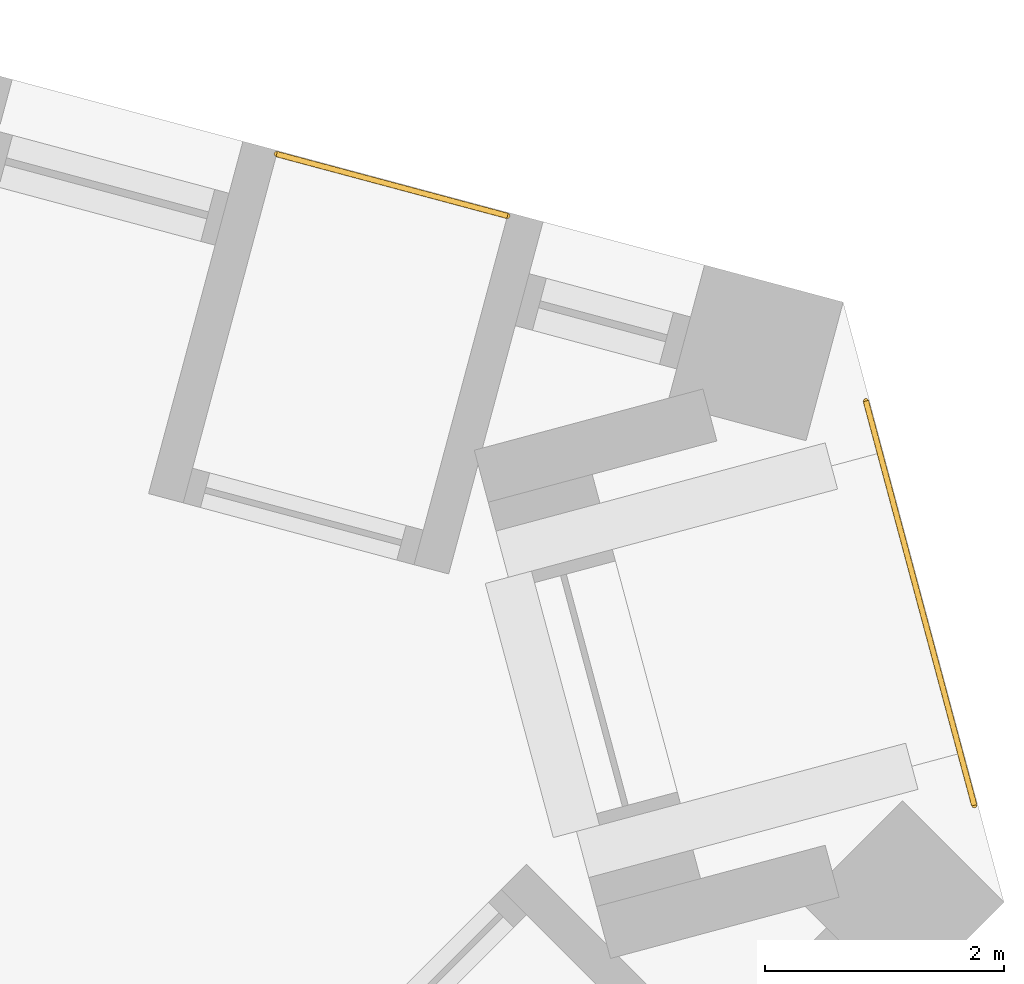
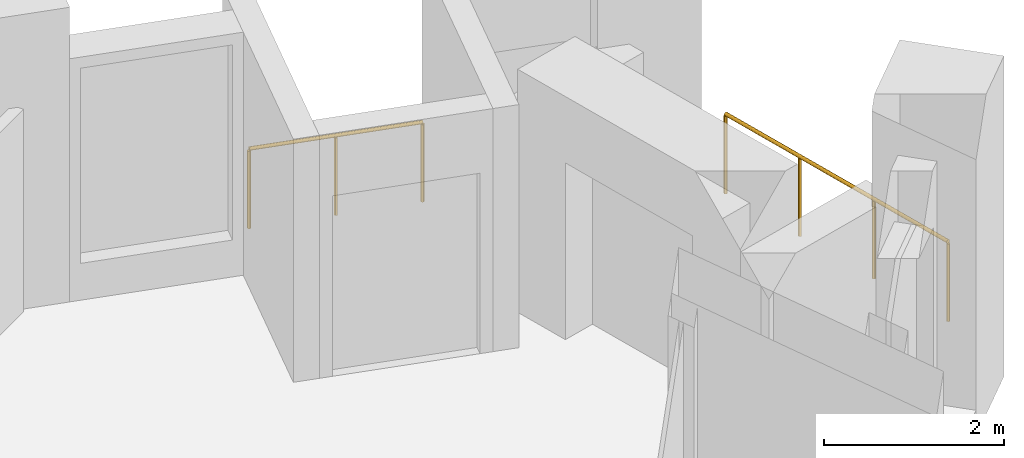
# One storey, part 13 of 13: 2 railings.
"""IFC4 building model written with IfcOpenShell, lengths in metres."""

import ifcopenshell
import ifcopenshell.guid

model = None  # the IFC model being written
_history = None  # IfcOwnerHistory: only IFC2X3 demands one
_inside = {}  # id of a spatial element -> (the spatial element, [elements in it])
_under = {}  # id of a project, library or spatial element -> (it, [spatial elements below it])
_declared = {}  # id of a project -> (the project, [libraries it declares])
_typed = {}  # id of a type object -> (the type object, [elements of that type])
_made_of = {}  # id of a material, layer set ... -> (it, [elements and type objects made of it])


def new_model(schema):
    """Start an empty IFC model of exactly this schema.

    Asked for "IFC4X3", IfcOpenShell would pick the latest addendum, in which some entities
    have other attributes; the version numbers below select the first issue.
    IFC2X3 requires an IfcOwnerHistory on every rooted entity: one is made here for all.
    """
    global model, _history
    if schema == "IFC4X3":
        model = ifcopenshell.file(schema_version=(4, 3, 0, 0))
    else:
        model = ifcopenshell.file(schema=schema)
    _inside.clear()
    _under.clear()
    _declared.clear()
    _typed.clear()
    _made_of.clear()
    _history = None
    if model.schema == "IFC2X3":
        org = make("IfcOrganization", Name="unknown")
        user = make(
            "IfcPersonAndOrganization",
            ThePerson=make("IfcPerson", FamilyName="unknown"),
            TheOrganization=org,
        )
        app = make(
            "IfcApplication",
            ApplicationDeveloper=org,
            Version="unknown",
            ApplicationFullName="unknown",
            ApplicationIdentifier="unknown",
        )
        _history = make(
            "IfcOwnerHistory",
            OwningUser=user,
            OwningApplication=app,
            ChangeAction="ADDED",
            CreationDate=0,
        )
    return model


def make(cls, **values):
    """One entity of the class cls with the attributes given. An attribute that is None is left unset."""
    return model.create_entity(
        cls, **{name: value for name, value in values.items() if value is not None}
    )


def rooted(cls, **values):
    """An entity with a GlobalId (a new one), such as an element, a storey or a relation."""
    return make(cls, GlobalId=ifcopenshell.guid.new(), OwnerHistory=_history, **values)


def si_unit(unit_type, name, prefix=None):
    """IfcSIUnit, for example si_unit("LENGTHUNIT", "METRE", prefix="MILLI")."""
    return make("IfcSIUnit", UnitType=unit_type, Prefix=prefix, Name=name)


def assignment(units):
    """IfcUnitAssignment: the units of a project."""
    return None if units is None else make("IfcUnitAssignment", Units=units)


def point(xyz):
    """IfcCartesianPoint."""
    return None if xyz is None else make("IfcCartesianPoint", Coordinates=xyz)


def direction(xyz):
    """IfcDirection."""
    return None if xyz is None else make("IfcDirection", DirectionRatios=xyz)


def frame(location, z_axis=None, x_axis=None):
    """IfcAxis2Placement3D, a coordinate frame: its origin and axes. An axis left out is left unset."""
    return make(
        "IfcAxis2Placement3D",
        Location=point(location),
        Axis=direction(z_axis),
        RefDirection=direction(x_axis),
    )


def frame_2d(location, x_axis=None):
    """IfcAxis2Placement2D, a coordinate frame in the plane: its origin and x axis."""
    return make(
        "IfcAxis2Placement2D", Location=point(location), RefDirection=direction(x_axis)
    )


def origin():
    """The frame at (0, 0, 0) with its axes left unset."""
    return frame((0.0, 0.0, 0.0))


def origin_2d():
    """The frame at (0, 0) in the plane with its x axis left unset."""
    return frame_2d((0.0, 0.0))


def place(relative_to, where):
    """IfcLocalPlacement: puts the frame where relative to a parent placement (None: the world)."""
    return make(
        "IfcLocalPlacement", PlacementRelTo=relative_to, RelativePlacement=where
    )


def context(
    kind, dimensions, precision=None, world=None, true_north=None, identifier=None
):
    """IfcGeometricRepresentationContext, for example the 3D "Model" context."""
    return make(
        "IfcGeometricRepresentationContext",
        ContextIdentifier=identifier,
        ContextType=kind,
        CoordinateSpaceDimension=dimensions,
        Precision=precision,
        WorldCoordinateSystem=world,
        TrueNorth=true_north,
    )


def subcontext(parent, identifier, kind, view, scale=None):
    """IfcGeometricRepresentationSubContext, for example "Body" below "Model"."""
    return make(
        "IfcGeometricRepresentationSubContext",
        ContextIdentifier=identifier,
        ContextType=kind,
        ParentContext=parent,
        TargetScale=scale,
        TargetView=view,
    )


def project(units=None, contexts=None):
    """IfcProject with its units and contexts."""
    return rooted(
        "IfcProject",
        Name="project",
        RepresentationContexts=contexts,
        UnitsInContext=assignment(units),
    )


def spatial(cls, under=None, at=None, **own):
    """A site, building, storey or space (cls), placed at a placement, below another one or the project."""
    s = rooted(cls, ObjectPlacement=at, **own)
    if under is not None:
        _under.setdefault(under.id(), (under, []))[1].append(s)
    return s


def profile(cls, at=None, kind="AREA", **sizes):
    """A parametric profile (cls). Its sizes go by their IFC names, for example OverallWidth=200.0."""
    return make(cls, ProfileType=kind, Position=at, **sizes)


def circle(**sizes):
    """IfcCircleProfileDef."""
    return profile("IfcCircleProfileDef", **sizes)


def extrude(swept, where, along, depth):
    """IfcExtrudedAreaSolid: the profile swept, set in the frame where, extruded along a direction by depth."""
    return make(
        "IfcExtrudedAreaSolid",
        SweptArea=swept,
        Position=where,
        ExtrudedDirection=direction(along),
        Depth=depth,
    )


def shape(context_of_items, identifier, shape_type, items):
    """IfcShapeRepresentation: the items that make up one representation, for example the "Body"."""
    return make(
        "IfcShapeRepresentation",
        ContextOfItems=context_of_items,
        RepresentationIdentifier=identifier,
        RepresentationType=shape_type,
        Items=items,
    )


def material(Name=None, Category=None):
    """IfcMaterial."""
    return make("IfcMaterial", Name=Name, Category=Category)


def made_of(thing, what):
    """Note that an element or type object is made of a material, layer set ...; save() writes the relation."""
    if what is not None:
        _made_of.setdefault(what.id(), (what, []))[1].append(thing)
    return thing


def type_object(cls, material=None, **own):
    """A type object (cls), such as IfcWallType, which elements share."""
    return made_of(rooted(cls, **own), material)


def element(
    cls,
    number,
    at=None,
    inside=None,
    cuts=None,
    type_object=None,
    material=None,
    context=None,
    identifier="Body",
    shape_type=None,
    held_by="IfcProductDefinitionShape",
    body=None,
    shapes=None,
    **own,
):
    """One element of the class cls, such as IfcWall. Its Tag is "e" and its number.

    at: its placement. inside: the storey or other place that contains it. cuts: it is an
    opening in that element (IfcRelVoidsElement). A single representation is given by context,
    identifier, shape_type and body (its items); several are given by shapes. held_by: the class
    of the entity that holds the representations. save() writes the other relations.
    """
    e = rooted(cls, Tag="e%d" % number, ObjectPlacement=at, **own)
    if body is not None:
        shapes = [shape(context, identifier, shape_type, body)]
    if shapes is not None:
        e.Representation = make(held_by, Representations=shapes)
    if inside is not None:
        _inside.setdefault(inside.id(), (inside, []))[1].append(e)
    if cuts is not None:
        rooted(
            "IfcRelVoidsElement", RelatingBuildingElement=cuts, RelatedOpeningElement=e
        )
    if type_object is not None:
        _typed.setdefault(type_object.id(), (type_object, []))[1].append(e)
    return made_of(e, material)


def aggregate(whole, parts):
    """IfcRelAggregates: a whole, such as a stair, and the parts it consists of."""
    return rooted("IfcRelAggregates", RelatingObject=whole, RelatedObjects=parts)


def save(model, path):
    """Write the relations noted so far, then the file.

    IfcRelAggregates (storeys below a building ...), IfcRelContainedInSpatialStructure (elements
    in a storey), IfcRelDefinesByType, IfcRelAssociatesMaterial and IfcRelDeclares: one each for
    every whole, place, type object, material and project.
    """
    for whole, parts in _under.values():
        aggregate(whole, parts)
    for where, things in _inside.values():
        rooted(
            "IfcRelContainedInSpatialStructure",
            RelatedElements=things,
            RelatingStructure=where,
        )
    for kind, things in _typed.values():
        rooted("IfcRelDefinesByType", RelatedObjects=things, RelatingType=kind)
    for what, things in _made_of.values():
        rooted("IfcRelAssociatesMaterial", RelatedObjects=things, RelatingMaterial=what)
    for by, libraries in _declared.values():
        rooted("IfcRelDeclares", RelatingContext=by, RelatedDefinitions=libraries)
    model.write(path)


model = new_model("IFC4")

# Units and contexts
model_context = context("Model", 3, precision=1e-05, world=origin(), true_north=direction((0.0, 1.0)))
body_context = subcontext(model_context, "Body", "Model", "MODEL_VIEW")
ifc_project = project(units=[si_unit("LENGTHUNIT", "METRE"), si_unit("AREAUNIT", "SQUARE_METRE"), si_unit("VOLUMEUNIT", "CUBIC_METRE"), si_unit("PLANEANGLEUNIT", "RADIAN"), si_unit("MASSUNIT", "GRAM", prefix="KILO")], contexts=[model_context])

# Site, building, storey
site_placement = place(None, origin())
site = spatial("IfcSite", under=ifc_project, at=site_placement, CompositionType="ELEMENT")
building_placement = place(site_placement, origin())
building = spatial("IfcBuilding", under=site, at=building_placement, Name="Tramontana Tower", CompositionType="ELEMENT")
storey_placement = place(building_placement, frame((0.0, 0.0, 200.0)))
storey = spatial("IfcBuildingStorey", under=building, at=storey_placement, Name="L46", CompositionType="ELEMENT", Elevation=200.0)

# Railings
ifc_material = material(Name="Laminated glass balustrade", Category="glass")
railing_type = type_object("IfcRailingType", Name="GD1 Loggia glass balustrade 1100", PredefinedType="BALUSTRADE", material=ifc_material)
railing_1_placement = place(storey_placement, frame((24.04931640625, 10.60693359375, 0.0)))
element("IfcRailing", 1, at=railing_1_placement, inside=storey, type_object=railing_type, Name="Loggia balustrade L46 G5S2.1", PredefinedType="BALUSTRADE", context=body_context, shape_type="SweptSolid", body=[
    extrude(circle(Radius=0.02392578125, at=origin_2d()), frame((0.0, 0.0, 1.076171875), z_axis=(-0.96593005298, 0.258803270362, 0.0), x_axis=(-0.258803270362, -0.96593005298, 0.0)), (0.0, 0.0, 1.0), 1.998046875),
    extrude(circle(Radius=0.02099609375, at=origin_2d()), origin(), (0.0, 0.0, 1.0), 1.052001953125),
    extrude(circle(Radius=0.02099609375, at=origin_2d()), frame((-0.96484375, 0.258544921875, 0.0)), (0.0, 0.0, 1.0), 1.052001953125),
    extrude(circle(Radius=0.02099609375, at=origin_2d()), frame((-1.929931640625, 0.51708984375, 0.0)), (0.0, 0.0, 1.0), 1.052001953125),
])
railing_2_placement = place(storey_placement, frame((27.046875, 9.058837890625, 0.0)))
element("IfcRailing", 2, at=railing_2_placement, inside=storey, type_object=railing_type, Name="Corner loggia balustrade L46 K52", PredefinedType="BALUSTRADE", context=body_context, shape_type="SweptSolid", body=[
    extrude(circle(Radius=0.02392578125, at=origin_2d()), frame((0.0, 0.0, 1.076171875), z_axis=(0.258865093408, -0.965913486506, 0.0), x_axis=(0.965913486506, 0.258865093408, 0.0)), (0.0, 0.0, 1.0), 3.5),
    extrude(circle(Radius=0.02099609375, at=origin_2d()), origin(), (0.0, 0.0, 1.0), 1.052001953125),
    extrude(circle(Radius=0.02099609375, at=origin_2d()), frame((0.302001953125, -1.126953125, 0.0)), (0.0, 0.0, 1.0), 1.052001953125),
    extrude(circle(Radius=0.02099609375, at=origin_2d()), frame((0.60400390625, -2.253662109375, 0.0)), (0.0, 0.0, 1.0), 1.052001953125),
    extrude(circle(Radius=0.02099609375, at=origin_2d()), frame((0.906005859375, -3.380615234375, 0.0)), (0.0, 0.0, 1.0), 1.052001953125),
])

save(model, "model.ifc")
